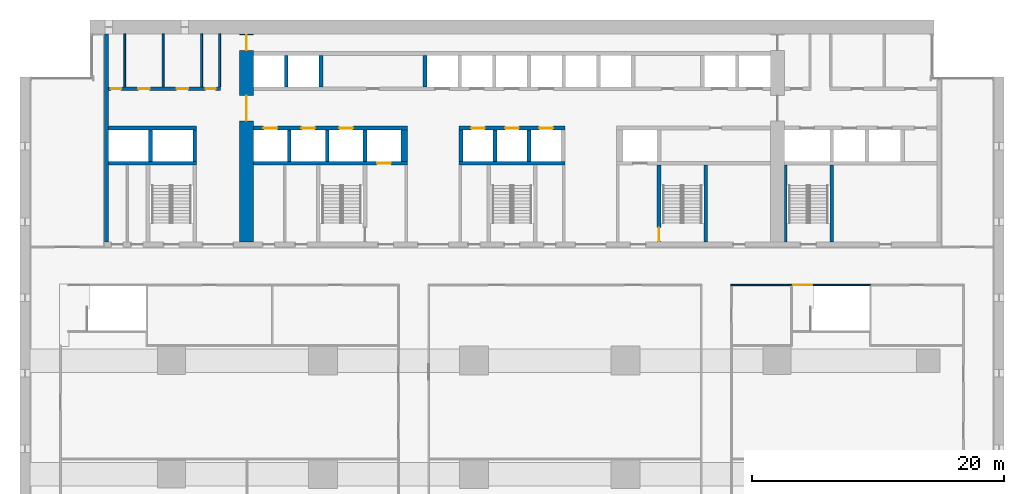
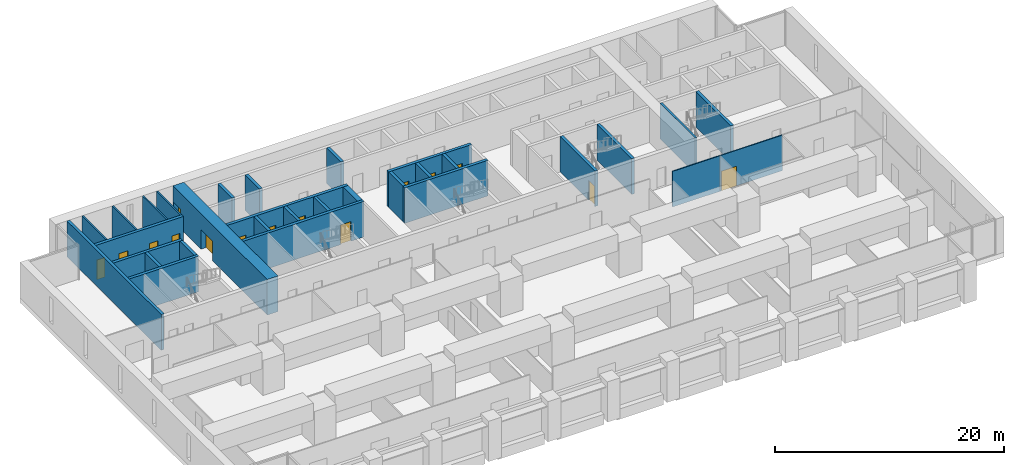
# One storey, part 9 of 17: 31 walls, 15 doors, 15 openings.
"""IFC4 building model written with IfcOpenShell, lengths in metres."""

from ifc_helpers import new_model, si_unit, direction, frame, frame_2d, origin, place, context, subcontext, project, spatial, rectangle, extrude, material, layer, layer_set, type_object, element, fill, save


model = new_model("IFC4")

# Units and contexts
model_context = context("Model", 3, precision=1e-05, world=origin(), true_north=direction((0.0, 1.0)))
body_context = subcontext(model_context, "Body", "Model", "MODEL_VIEW")
ifc_project = project(units=[si_unit("LENGTHUNIT", "METRE"), si_unit("AREAUNIT", "SQUARE_METRE"), si_unit("VOLUMEUNIT", "CUBIC_METRE"), si_unit("PLANEANGLEUNIT", "RADIAN"), si_unit("MASSUNIT", "GRAM", prefix="KILO")], contexts=[model_context])

# Site, building, storey
site_placement = place(None, origin())
site = spatial("IfcSite", under=ifc_project, at=site_placement, CompositionType="ELEMENT")
building_placement = place(site_placement, origin())
building = spatial("IfcBuilding", under=site, at=building_placement, Name="Calvaro Tower", CompositionType="ELEMENT")
storey_placement = place(building_placement, frame((0.0, 0.0, 17.89990234375)))
storey = spatial("IfcBuildingStorey", under=building, at=storey_placement, Name="L03", CompositionType="ELEMENT", Elevation=17.89990234375)

# Walls
ifc_material_1 = material(Name="Blockwork partition", Category="masonry")
ifc_layer_1 = layer(ifc_material_1, 0.14990234375)
ifc_layer_set_1 = layer_set([ifc_layer_1], Name="Blockwork partition")
wall_type_1 = type_object("IfcWallType", Name="Core partition 150 EI 60", PredefinedType="PARTITIONING", material=ifc_layer_set_1)
for number, where, z_axis, x_axis, name in (
    (1, (8.300048828125, 40.699951171875, 0.0), (0.0, 0.0, 1.0), (0.0, 1.0, 0.0), "Core partition"),
    (2, (11.35009765625, 40.699951171875, 0.0), (0.0, 0.0, 1.0), (0.0, 1.0, 0.0), "Core partition"),
    (3, (14.39990234375, 40.699951171875, 0.0), (0.0, 0.0, 1.0), (0.0, 1.0, 0.0), "Core partition"),
):
    element("IfcWall", number, at=place(storey_placement, frame(where, z_axis=z_axis, x_axis=x_axis)), inside=storey, type_object=wall_type_1, Name=name, PredefinedType="PARTITIONING", context=body_context, shape_type="SweptSolid", body=[
        extrude(rectangle(XDim=4.199951171875, YDim=0.14990234375, at=frame_2d((2.10009765625, 0.0))), origin(), (0.0, 0.0, 1.0), 3.800048828125),
    ])
ifc_material_2 = material(Name="Blockwork partition", Category="masonry")
ifc_layer_2 = layer(ifc_material_2, 0.14990234375)
ifc_layer_set_2 = layer_set([ifc_layer_2], Name="Blockwork partition")
wall_type_2 = type_object("IfcWallType", Name="Core partition 150 REI 120", PredefinedType="PARTITIONING", material=ifc_layer_set_2)
wall_1_placement = place(storey_placement, frame((15.824951171875, 40.699951171875, 0.0), z_axis=(0.0, 0.0, 1.0), x_axis=(0.0, 1.0, 0.0)))
element("IfcWall", 4, at=wall_1_placement, inside=storey, type_object=wall_type_2, Name="Core partition", PredefinedType="PARTITIONING", context=body_context, shape_type="SweptSolid", body=[
    extrude(rectangle(XDim=4.199951171875, YDim=0.14990234375, at=frame_2d((2.10009765625, 0.0))), origin(), (0.0, 0.0, 1.0), 3.800048828125),
])

# Wall, openings, doors
ifc_material_3 = material(Name="Blockwork partition", Category="masonry")
ifc_layer_3 = layer(ifc_material_3, 0.300048828125)
ifc_layer_set_3 = layer_set([ifc_layer_3], Name="Blockwork partition")
wall_type_3 = type_object("IfcWallType", Name="Core partition 300 REI 120", PredefinedType="PARTITIONING", material=ifc_layer_set_3)
wall_2_placement = place(storey_placement, frame((7.0, 40.550048828125, 0.0), z_axis=(0.0, 0.0, 1.0), x_axis=(1.0, 0.0, 0.0)))
wall_2 = element("IfcWall", 5, at=wall_2_placement, inside=storey, type_object=wall_type_3, Name="Core partition", PredefinedType="PARTITIONING", context=body_context, shape_type="SweptSolid", body=[
    extrude(rectangle(XDim=8.89990234375, YDim=0.300048828125, at=frame_2d((4.449951171875, 0.0))), origin(), (0.0, 0.0, 1.0), 3.800048828125),
])
opening_1_placement = place(wall_2_placement, frame((0.21240234375, 0.0, 0.0)))
opening_1 = element("IfcOpeningElement", 6, at=opening_1_placement, cuts=wall_2, Name="Opening RD8", PredefinedType="OPENING", context=body_context, shape_type="SweptSolid", body=[
    extrude(rectangle(XDim=0.800048828125, YDim=2.10009765625, at=frame_2d((0.39990234375, 1.050048828125))), frame((0.0, 0.159912109375, 0.0), z_axis=(0.0, -1.0, 0.0), x_axis=(1.0, 0.0, 0.0)), (0.0, 0.0, 1.0), 0.320068359375),
])
opening_2_placement = place(wall_2_placement, frame((2.375, 0.0, 0.0)))
opening_2 = element("IfcOpeningElement", 7, at=opening_2_placement, cuts=wall_2, Name="Opening RD9", PredefinedType="OPENING", context=body_context, shape_type="SweptSolid", body=[
    extrude(rectangle(XDim=0.89990234375, YDim=2.10009765625, at=frame_2d((0.449951171875, 1.050048828125))), frame((0.0, 0.159912109375, 0.0), z_axis=(0.0, -1.0, 0.0), x_axis=(1.0, 0.0, 0.0)), (0.0, 0.0, 1.0), 0.320068359375),
])
opening_3_placement = place(wall_2_placement, frame((5.425048828125, 0.0, 0.0)))
opening_3 = element("IfcOpeningElement", 8, at=opening_3_placement, cuts=wall_2, Name="Opening RD9", PredefinedType="OPENING", context=body_context, shape_type="SweptSolid", body=[
    extrude(rectangle(XDim=0.89990234375, YDim=2.10009765625, at=frame_2d((0.449951171875, 1.050048828125))), frame((0.0, 0.159912109375, 0.0), z_axis=(0.0, -1.0, 0.0), x_axis=(1.0, 0.0, 0.0)), (0.0, 0.0, 1.0), 0.320068359375),
])
opening_4_placement = place(wall_2_placement, frame((7.71240234375, 0.0, 0.0)))
opening_4 = element("IfcOpeningElement", 9, at=opening_4_placement, cuts=wall_2, Name="Opening RD8C", PredefinedType="OPENING", context=body_context, shape_type="SweptSolid", body=[
    extrude(rectangle(XDim=0.800048828125, YDim=2.10009765625, at=frame_2d((0.39990234375, 1.050048828125))), frame((0.0, 0.159912109375, 0.0), z_axis=(0.0, -1.0, 0.0), x_axis=(1.0, 0.0, 0.0)), (0.0, 0.0, 1.0), 0.320068359375),
])
ifc_material_4 = material(Name="Steel door set", Category="steel")
door_type_1 = type_object("IfcDoorType", Name="Room door 800", OperationType="SINGLE_SWING_LEFT", PredefinedType="DOOR", material=ifc_material_4)
door_1_placement = place(opening_1_placement, origin())
door_1 = element("IfcDoor", 10, at=door_1_placement, inside=storey, type_object=door_type_1, Name="Room door", OperationType="SINGLE_SWING_LEFT", OverallHeight=2.10009765625, OverallWidth=0.800048828125, PredefinedType="DOOR", context=body_context, shape_type="SweptSolid", body=[
    extrude(rectangle(XDim=0.800048828125, YDim=2.10009765625, at=frame_2d((0.39990234375, 1.050048828125))), frame((0.0, 0.02490234375, 0.0), z_axis=(0.0, -1.0, 0.0), x_axis=(1.0, 0.0, 0.0)), (0.0, 0.0, 1.0), 0.050048828125),
])
fill(opening_1, door_1)
ifc_material_5 = material(Name="Steel door set", Category="steel")
door_type_2 = type_object("IfcDoorType", Name="Room door 800 FD30", OperationType="SINGLE_SWING_LEFT", PredefinedType="DOOR", material=ifc_material_5)
door_2_placement = place(opening_4_placement, origin())
door_2 = element("IfcDoor", 11, at=door_2_placement, inside=storey, type_object=door_type_2, Name="Room door", OperationType="SINGLE_SWING_RIGHT", OverallHeight=2.10009765625, OverallWidth=0.800048828125, PredefinedType="DOOR", context=body_context, shape_type="SweptSolid", body=[
    extrude(rectangle(XDim=0.800048828125, YDim=2.10009765625, at=frame_2d((0.39990234375, 1.050048828125))), frame((0.0, 0.02490234375, 0.0), z_axis=(0.0, -1.0, 0.0), x_axis=(1.0, 0.0, 0.0)), (0.0, 0.0, 1.0), 0.050048828125),
])
fill(opening_4, door_2)
ifc_material_6 = material(Name="Steel door set", Category="steel")
door_type_3 = type_object("IfcDoorType", Name="Room door 900", OperationType="SINGLE_SWING_LEFT", PredefinedType="DOOR", material=ifc_material_6)
door_3_placement = place(opening_2_placement, origin())
door_3 = element("IfcDoor", 12, at=door_3_placement, inside=storey, type_object=door_type_3, Name="Room door", OperationType="SINGLE_SWING_LEFT", OverallHeight=2.10009765625, OverallWidth=0.89990234375, PredefinedType="DOOR", context=body_context, shape_type="SweptSolid", body=[
    extrude(rectangle(XDim=0.89990234375, YDim=2.10009765625, at=frame_2d((0.449951171875, 1.050048828125))), frame((0.0, 0.02490234375, 0.0), z_axis=(0.0, -1.0, 0.0), x_axis=(1.0, 0.0, 0.0)), (0.0, 0.0, 1.0), 0.050048828125),
])
fill(opening_2, door_3)
door_4_placement = place(opening_3_placement, origin())
door_4 = element("IfcDoor", 13, at=door_4_placement, inside=storey, type_object=door_type_3, Name="Room door", OperationType="SINGLE_SWING_LEFT", OverallHeight=2.10009765625, OverallWidth=0.89990234375, PredefinedType="DOOR", context=body_context, shape_type="SweptSolid", body=[
    extrude(rectangle(XDim=0.89990234375, YDim=2.10009765625, at=frame_2d((0.449951171875, 1.050048828125))), frame((0.0, 0.02490234375, 0.0), z_axis=(0.0, -1.0, 0.0), x_axis=(1.0, 0.0, 0.0)), (0.0, 0.0, 1.0), 0.050048828125),
])
fill(opening_3, door_4)

ifc_material_7 = material(Name="Concrete C80/95", Category="concrete")
ifc_layer_4 = layer(ifc_material_7, 1.10009765625)
ifc_layer_set_4 = layer_set([ifc_layer_4], Name="Concrete C80/95")
wall_type_4 = type_object("IfcWallType", Name="Core wall C80/95 1100", PredefinedType="SHEAR", material=ifc_layer_set_4)
wall_3_placement = place(storey_placement, frame((17.949951171875, 28.39990234375, 0.0), z_axis=(0.0, 0.0, 1.0), x_axis=(0.0, 1.0, 0.0)))
wall_3 = element("IfcWall", 14, at=wall_3_placement, inside=storey, type_object=wall_type_4, Name="Core wall, cross shear wall", PredefinedType="SHEAR", context=body_context, shape_type="SweptSolid", body=[
    extrude(rectangle(XDim=16.5, YDim=1.10009765625, at=frame_2d((8.25, 0.0))), origin(), (0.0, 0.0, 1.0), 3.800048828125),
])
opening_5_placement = place(wall_3_placement, frame((9.60009765625, 0.0, 0.0)))
opening_5 = element("IfcOpeningElement", 15, at=opening_5_placement, cuts=wall_3, Name="Opening DD20D", PredefinedType="OPENING", context=body_context, shape_type="SweptSolid", body=[
    extrude(rectangle(XDim=2.0, YDim=2.10009765625, at=frame_2d((1.0, 1.050048828125))), frame((0.0, 0.56005859375, 0.0), z_axis=(0.0, -1.0, 0.0), x_axis=(1.0, 0.0, 0.0)), (0.0, 0.0, 1.0), 1.1201171875),
])
opening_6_placement = place(wall_3_placement, frame((15.199951171875, 0.0, 0.0)))
opening_6 = element("IfcOpeningElement", 16, at=opening_6_placement, cuts=wall_3, Name="Opening FD12C", PredefinedType="OPENING", context=body_context, shape_type="SweptSolid", body=[
    extrude(rectangle(XDim=1.199951171875, YDim=2.10009765625, at=frame_2d((0.60009765625, 1.050048828125))), frame((0.0, 0.56005859375, 0.0), z_axis=(0.0, -1.0, 0.0), x_axis=(1.0, 0.0, 0.0)), (0.0, 0.0, 1.0), 1.1201171875),
])
ifc_material_8 = material(Name="Steel door set", Category="steel")
door_type_4 = type_object("IfcDoorType", Name="Fire door 1200 FD30", OperationType="SINGLE_SWING_LEFT", PredefinedType="DOOR", material=ifc_material_8)
door_5_placement = place(opening_6_placement, origin())
door_5 = element("IfcDoor", 17, at=door_5_placement, inside=storey, type_object=door_type_4, Name="Fire door", OperationType="SINGLE_SWING_RIGHT", OverallHeight=2.10009765625, OverallWidth=1.199951171875, PredefinedType="DOOR", context=body_context, shape_type="SweptSolid", body=[
    extrude(rectangle(XDim=1.199951171875, YDim=2.10009765625, at=frame_2d((0.60009765625, 1.050048828125))), frame((0.0, 0.02490234375, 0.0), z_axis=(0.0, -1.0, 0.0), x_axis=(1.0, 0.0, 0.0)), (0.0, 0.0, 1.0), 0.050048828125),
])
fill(opening_6, door_5)
ifc_material_9 = material(Name="Steel door set", Category="steel")
door_type_5 = type_object("IfcDoorType", Name="Lobby double door 2000 FD30S", OperationType="DOUBLE_DOOR_SINGLE_SWING", PredefinedType="DOOR", material=ifc_material_9)
door_6_placement = place(opening_5_placement, origin())
door_6 = element("IfcDoor", 18, at=door_6_placement, inside=storey, type_object=door_type_5, Name="Lobby double door", OperationType="DOUBLE_DOOR_SINGLE_SWING", OverallHeight=2.10009765625, OverallWidth=2.0, PredefinedType="DOOR", context=body_context, shape_type="SweptSolid", body=[
    extrude(rectangle(XDim=2.0, YDim=2.10009765625, at=frame_2d((1.0, 1.050048828125))), frame((0.0, 0.02490234375, 0.0), z_axis=(0.0, -1.0, 0.0), x_axis=(1.0, 0.0, 0.0)), (0.0, 0.0, 1.0), 0.050048828125),
])
fill(opening_5, door_6)

# Walls
ifc_material_10 = material(Name="Concrete C80/95", Category="concrete")
ifc_layer_5 = layer(ifc_material_10, 0.199951171875)
ifc_layer_set_5 = layer_set([ifc_layer_5], Name="Concrete C80/95")
wall_type_5 = type_object("IfcWallType", Name="Core wall C80/95 200", PredefinedType="SHEAR", material=ifc_layer_set_5)
wall_4_placement = place(storey_placement, frame((60.699951171875, 28.39990234375, 0.0), z_axis=(0.0, 0.0, 1.0), x_axis=(0.0, 1.0, 0.0)))
element("IfcWall", 19, at=wall_4_placement, inside=storey, type_object=wall_type_5, Name="Core wall, stair enclosure", PredefinedType="SHEAR", context=body_context, shape_type="SweptSolid", body=[
    extrude(rectangle(XDim=6.10009765625, YDim=0.199951171875, at=frame_2d((3.050048828125, 0.0))), origin(), (0.0, 0.0, 1.0), 3.800048828125),
])
ifc_material_11 = material(Name="Concrete C80/95", Category="concrete")
ifc_layer_6 = layer(ifc_material_11, 0.300048828125)
ifc_layer_set_6 = layer_set([ifc_layer_6], Name="Concrete C80/95")
wall_type_6 = type_object("IfcWallType", Name="Core wall C80/95 300", PredefinedType="SHEAR", material=ifc_layer_set_6)
wall_5_placement = place(storey_placement, frame((6.85009765625, 28.39990234375, 0.0), z_axis=(0.0, 0.0, 1.0), x_axis=(0.0, 1.0, 0.0)))
element("IfcWall", 20, at=wall_5_placement, inside=storey, type_object=wall_type_6, Name="Core wall, boundary", PredefinedType="SHEAR", context=body_context, shape_type="SweptSolid", body=[
    extrude(rectangle(XDim=16.5, YDim=0.300048828125, at=frame_2d((8.25, 0.0))), origin(), (0.0, 0.0, 1.0), 3.800048828125),
])

# Wall, opening, door
wall_6_placement = place(storey_placement, frame((50.64990234375, 34.5, 0.0), z_axis=(0.0, 0.0, 1.0), x_axis=(0.0, -1.0, 0.0)))
wall_6 = element("IfcWall", 21, at=wall_6_placement, inside=storey, type_object=wall_type_6, Name="Core wall, stair enclosure", PredefinedType="SHEAR", context=body_context, shape_type="SweptSolid", body=[
    extrude(rectangle(XDim=6.10009765625, YDim=0.300048828125, at=frame_2d((3.050048828125, 0.0))), origin(), (0.0, 0.0, 1.0), 3.800048828125),
])
opening_7_placement = place(wall_6_placement, frame((4.949951171875, 0.0, 0.0)))
opening_7 = element("IfcOpeningElement", 22, at=opening_7_placement, cuts=wall_6, Name="Opening FD11D", PredefinedType="OPENING", context=body_context, shape_type="SweptSolid", body=[
    extrude(rectangle(XDim=1.10009765625, YDim=2.10009765625, at=frame_2d((0.550048828125, 1.050048828125))), frame((0.0, 0.159912109375, 0.0), z_axis=(0.0, -1.0, 0.0), x_axis=(1.0, 0.0, 0.0)), (0.0, 0.0, 1.0), 0.320068359375),
])
ifc_material_12 = material(Name="Steel door set", Category="steel")
door_type_6 = type_object("IfcDoorType", Name="Fire door 1100 FD30S", OperationType="SINGLE_SWING_LEFT", PredefinedType="DOOR", material=ifc_material_12)
door_7_placement = place(opening_7_placement, origin())
door_7 = element("IfcDoor", 23, at=door_7_placement, inside=storey, type_object=door_type_6, Name="Fire door", OperationType="SINGLE_SWING_RIGHT", OverallHeight=2.10009765625, OverallWidth=1.10009765625, PredefinedType="DOOR", context=body_context, shape_type="SweptSolid", body=[
    extrude(rectangle(XDim=1.10009765625, YDim=2.10009765625, at=frame_2d((0.550048828125, 1.050048828125))), frame((0.0, 0.02490234375, 0.0), z_axis=(0.0, -1.0, 0.0), x_axis=(1.0, 0.0, 0.0)), (0.0, 0.0, 1.0), 0.050048828125),
])
fill(opening_7, door_7)

# Walls
for number, where, z_axis, x_axis, name in (
    (24, (54.35009765625, 28.39990234375, 0.0), (0.0, 0.0, 1.0), (0.0, 1.0, 0.0), "Core wall, stair enclosure"),
    (25, (64.35009765625, 28.39990234375, 0.0), (0.0, 0.0, 1.0), (0.0, 1.0, 0.0), "Core wall, stair enclosure"),
):
    element("IfcWall", number, at=place(storey_placement, frame(where, z_axis=z_axis, x_axis=x_axis)), inside=storey, type_object=wall_type_6, Name=name, PredefinedType="SHEAR", context=body_context, shape_type="SweptSolid", body=[
        extrude(rectangle(XDim=6.10009765625, YDim=0.300048828125, at=frame_2d((3.050048828125, 0.0))), origin(), (0.0, 0.0, 1.0), 3.800048828125),
    ])
wall_7_placement = place(storey_placement, frame((7.0, 34.64990234375, 0.0), z_axis=(0.0, 0.0, 1.0), x_axis=(1.0, 0.0, 0.0)))
element("IfcWall", 26, at=wall_7_placement, inside=storey, type_object=wall_type_6, Name="Core wall, lift shaft", PredefinedType="SHEAR", context=body_context, shape_type="SweptSolid", body=[
    extrude(rectangle(XDim=7.0, YDim=0.300048828125, at=frame_2d((3.5, 0.0))), origin(), (0.0, 0.0, 1.0), 3.800048828125),
])

# Wall, opening, door
wall_8_placement = place(storey_placement, frame((18.5, 34.64990234375, 0.0), z_axis=(0.0, 0.0, 1.0), x_axis=(1.0, 0.0, 0.0)))
wall_8 = element("IfcWall", 27, at=wall_8_placement, inside=storey, type_object=wall_type_6, Name="Core wall, lift shaft", PredefinedType="SHEAR", context=body_context, shape_type="SweptSolid", body=[
    extrude(rectangle(XDim=12.199951171875, YDim=0.300048828125, at=frame_2d((6.10009765625, 0.0))), origin(), (0.0, 0.0, 1.0), 3.800048828125),
])
opening_8_placement = place(wall_8_placement, frame((9.800048828125, 0.0, 0.0)))
opening_8 = element("IfcOpeningElement", 28, at=opening_8_placement, cuts=wall_8, Name="Opening FF1", PredefinedType="OPENING", context=body_context, shape_type="SweptSolid", body=[
    extrude(rectangle(XDim=1.10009765625, YDim=2.10009765625, at=frame_2d((0.550048828125, 1.050048828125))), frame((0.0, 0.159912109375, 0.0), z_axis=(0.0, -1.0, 0.0), x_axis=(1.0, 0.0, 0.0)), (0.0, 0.0, 1.0), 0.320068359375),
])
ifc_material_13 = material(Name="Stainless steel", Category="steel")
door_type_7 = type_object("IfcDoorType", Name="Landing door 1100 E 60", OperationType="SLIDING_TO_LEFT", PredefinedType="DOOR", material=ifc_material_13)
door_8_placement = place(opening_8_placement, origin())
door_8 = element("IfcDoor", 29, at=door_8_placement, inside=storey, type_object=door_type_7, Name="Landing door FF1", OperationType="SLIDING_TO_LEFT", OverallHeight=2.10009765625, OverallWidth=1.10009765625, PredefinedType="DOOR", context=body_context, shape_type="SweptSolid", body=[
    extrude(rectangle(XDim=1.10009765625, YDim=2.10009765625, at=frame_2d((0.550048828125, 1.050048828125))), frame((0.0, 0.02490234375, 0.0), z_axis=(0.0, -1.0, 0.0), x_axis=(1.0, 0.0, 0.0)), (0.0, 0.0, 1.0), 0.050048828125),
])
fill(opening_8, door_8)

# Walls
wall_9_placement = place(storey_placement, frame((34.800048828125, 34.64990234375, 0.0), z_axis=(0.0, 0.0, 1.0), x_axis=(1.0, 0.0, 0.0)))
element("IfcWall", 30, at=wall_9_placement, inside=storey, type_object=wall_type_6, Name="Core wall, lift shaft", PredefinedType="SHEAR", context=body_context, shape_type="SweptSolid", body=[
    extrude(rectangle(XDim=8.39990234375, YDim=0.300048828125, at=frame_2d((4.199951171875, 0.0))), origin(), (0.0, 0.0, 1.0), 3.800048828125),
])
wall_10_placement = place(storey_placement, frame((7.0, 37.449951171875, 0.0), z_axis=(0.0, 0.0, 1.0), x_axis=(1.0, 0.0, 0.0)))
element("IfcWall", 31, at=wall_10_placement, inside=storey, type_object=wall_type_6, Name="Core wall, lift shaft", PredefinedType="SHEAR", context=body_context, shape_type="SweptSolid", body=[
    extrude(rectangle(XDim=7.0, YDim=0.300048828125, at=frame_2d((3.5, 0.0))), origin(), (0.0, 0.0, 1.0), 3.800048828125),
])

# Wall, openings, doors
wall_11_placement = place(storey_placement, frame((18.5, 37.449951171875, 0.0), z_axis=(0.0, 0.0, 1.0), x_axis=(1.0, 0.0, 0.0)))
wall_11 = element("IfcWall", 32, at=wall_11_placement, inside=storey, type_object=wall_type_6, Name="Core wall, lift shaft", PredefinedType="SHEAR", context=body_context, shape_type="SweptSolid", body=[
    extrude(rectangle(XDim=12.199951171875, YDim=0.300048828125, at=frame_2d((6.10009765625, 0.0))), origin(), (0.0, 0.0, 1.0), 3.800048828125),
])
opening_9_placement = place(wall_11_placement, frame((0.800048828125, 0.0, 0.0)))
opening_9 = element("IfcOpeningElement", 33, at=opening_9_placement, cuts=wall_11, Name="Opening LR1", PredefinedType="OPENING", context=body_context, shape_type="SweptSolid", body=[
    extrude(rectangle(XDim=1.10009765625, YDim=2.10009765625, at=frame_2d((0.550048828125, 1.050048828125))), frame((0.0, 0.159912109375, 0.0), z_axis=(0.0, -1.0, 0.0), x_axis=(1.0, 0.0, 0.0)), (0.0, 0.0, 1.0), 0.320068359375),
])
opening_10_placement = place(wall_11_placement, frame((3.800048828125, 0.0, 0.0)))
opening_10 = element("IfcOpeningElement", 34, at=opening_10_placement, cuts=wall_11, Name="Opening LR2", PredefinedType="OPENING", context=body_context, shape_type="SweptSolid", body=[
    extrude(rectangle(XDim=1.10009765625, YDim=2.10009765625, at=frame_2d((0.550048828125, 1.050048828125))), frame((0.0, 0.159912109375, 0.0), z_axis=(0.0, -1.0, 0.0), x_axis=(1.0, 0.0, 0.0)), (0.0, 0.0, 1.0), 0.320068359375),
])
opening_11_placement = place(wall_11_placement, frame((6.800048828125, 0.0, 0.0)))
opening_11 = element("IfcOpeningElement", 35, at=opening_11_placement, cuts=wall_11, Name="Opening LR3", PredefinedType="OPENING", context=body_context, shape_type="SweptSolid", body=[
    extrude(rectangle(XDim=1.10009765625, YDim=2.10009765625, at=frame_2d((0.550048828125, 1.050048828125))), frame((0.0, 0.159912109375, 0.0), z_axis=(0.0, -1.0, 0.0), x_axis=(1.0, 0.0, 0.0)), (0.0, 0.0, 1.0), 0.320068359375),
])
door_9_placement = place(opening_9_placement, origin())
door_9 = element("IfcDoor", 36, at=door_9_placement, inside=storey, type_object=door_type_7, Name="Landing door LR1", OperationType="SLIDING_TO_LEFT", OverallHeight=2.10009765625, OverallWidth=1.10009765625, PredefinedType="DOOR", context=body_context, shape_type="SweptSolid", body=[
    extrude(rectangle(XDim=1.10009765625, YDim=2.10009765625, at=frame_2d((0.550048828125, 1.050048828125))), frame((0.0, 0.02490234375, 0.0), z_axis=(0.0, -1.0, 0.0), x_axis=(1.0, 0.0, 0.0)), (0.0, 0.0, 1.0), 0.050048828125),
])
fill(opening_9, door_9)
door_10_placement = place(opening_10_placement, origin())
door_10 = element("IfcDoor", 37, at=door_10_placement, inside=storey, type_object=door_type_7, Name="Landing door LR2", OperationType="SLIDING_TO_LEFT", OverallHeight=2.10009765625, OverallWidth=1.10009765625, PredefinedType="DOOR", context=body_context, shape_type="SweptSolid", body=[
    extrude(rectangle(XDim=1.10009765625, YDim=2.10009765625, at=frame_2d((0.550048828125, 1.050048828125))), frame((0.0, 0.02490234375, 0.0), z_axis=(0.0, -1.0, 0.0), x_axis=(1.0, 0.0, 0.0)), (0.0, 0.0, 1.0), 0.050048828125),
])
fill(opening_10, door_10)
door_11_placement = place(opening_11_placement, origin())
door_11 = element("IfcDoor", 38, at=door_11_placement, inside=storey, type_object=door_type_7, Name="Landing door LR3", OperationType="SLIDING_TO_LEFT", OverallHeight=2.10009765625, OverallWidth=1.10009765625, PredefinedType="DOOR", context=body_context, shape_type="SweptSolid", body=[
    extrude(rectangle(XDim=1.10009765625, YDim=2.10009765625, at=frame_2d((0.550048828125, 1.050048828125))), frame((0.0, 0.02490234375, 0.0), z_axis=(0.0, -1.0, 0.0), x_axis=(1.0, 0.0, 0.0)), (0.0, 0.0, 1.0), 0.050048828125),
])
fill(opening_11, door_11)

wall_12_placement = place(storey_placement, frame((34.800048828125, 37.449951171875, 0.0), z_axis=(0.0, 0.0, 1.0), x_axis=(1.0, 0.0, 0.0)))
wall_12 = element("IfcWall", 39, at=wall_12_placement, inside=storey, type_object=wall_type_6, Name="Core wall, lift shaft", PredefinedType="SHEAR", context=body_context, shape_type="SweptSolid", body=[
    extrude(rectangle(XDim=8.39990234375, YDim=0.300048828125, at=frame_2d((4.199951171875, 0.0))), origin(), (0.0, 0.0, 1.0), 3.800048828125),
])
opening_12_placement = place(wall_12_placement, frame((0.949951171875, 0.0, 0.0)))
opening_12 = element("IfcOpeningElement", 40, at=opening_12_placement, cuts=wall_12, Name="Opening LR4", PredefinedType="OPENING", context=body_context, shape_type="SweptSolid", body=[
    extrude(rectangle(XDim=1.10009765625, YDim=2.10009765625, at=frame_2d((0.550048828125, 1.050048828125))), frame((0.0, 0.159912109375, 0.0), z_axis=(0.0, -1.0, 0.0), x_axis=(1.0, 0.0, 0.0)), (0.0, 0.0, 1.0), 0.320068359375),
])
opening_13_placement = place(wall_12_placement, frame((3.64990234375, 0.0, 0.0)))
opening_13 = element("IfcOpeningElement", 41, at=opening_13_placement, cuts=wall_12, Name="Opening LR5", PredefinedType="OPENING", context=body_context, shape_type="SweptSolid", body=[
    extrude(rectangle(XDim=1.10009765625, YDim=2.10009765625, at=frame_2d((0.550048828125, 1.050048828125))), frame((0.0, 0.159912109375, 0.0), z_axis=(0.0, -1.0, 0.0), x_axis=(1.0, 0.0, 0.0)), (0.0, 0.0, 1.0), 0.320068359375),
])
opening_14_placement = place(wall_12_placement, frame((6.35009765625, 0.0, 0.0)))
opening_14 = element("IfcOpeningElement", 42, at=opening_14_placement, cuts=wall_12, Name="Opening LR6", PredefinedType="OPENING", context=body_context, shape_type="SweptSolid", body=[
    extrude(rectangle(XDim=1.10009765625, YDim=2.10009765625, at=frame_2d((0.550048828125, 1.050048828125))), frame((0.0, 0.159912109375, 0.0), z_axis=(0.0, -1.0, 0.0), x_axis=(1.0, 0.0, 0.0)), (0.0, 0.0, 1.0), 0.320068359375),
])
door_12_placement = place(opening_12_placement, origin())
door_12 = element("IfcDoor", 43, at=door_12_placement, inside=storey, type_object=door_type_7, Name="Landing door LR4", OperationType="SLIDING_TO_LEFT", OverallHeight=2.10009765625, OverallWidth=1.10009765625, PredefinedType="DOOR", context=body_context, shape_type="SweptSolid", body=[
    extrude(rectangle(XDim=1.10009765625, YDim=2.10009765625, at=frame_2d((0.550048828125, 1.050048828125))), frame((0.0, 0.02490234375, 0.0), z_axis=(0.0, -1.0, 0.0), x_axis=(1.0, 0.0, 0.0)), (0.0, 0.0, 1.0), 0.050048828125),
])
fill(opening_12, door_12)
door_13_placement = place(opening_13_placement, origin())
door_13 = element("IfcDoor", 44, at=door_13_placement, inside=storey, type_object=door_type_7, Name="Landing door LR5", OperationType="SLIDING_TO_LEFT", OverallHeight=2.10009765625, OverallWidth=1.10009765625, PredefinedType="DOOR", context=body_context, shape_type="SweptSolid", body=[
    extrude(rectangle(XDim=1.10009765625, YDim=2.10009765625, at=frame_2d((0.550048828125, 1.050048828125))), frame((0.0, 0.02490234375, 0.0), z_axis=(0.0, -1.0, 0.0), x_axis=(1.0, 0.0, 0.0)), (0.0, 0.0, 1.0), 0.050048828125),
])
fill(opening_13, door_13)
door_14_placement = place(opening_14_placement, origin())
door_14 = element("IfcDoor", 45, at=door_14_placement, inside=storey, type_object=door_type_7, Name="Landing door LR6", OperationType="SLIDING_TO_LEFT", OverallHeight=2.10009765625, OverallWidth=1.10009765625, PredefinedType="DOOR", context=body_context, shape_type="SweptSolid", body=[
    extrude(rectangle(XDim=1.10009765625, YDim=2.10009765625, at=frame_2d((0.550048828125, 1.050048828125))), frame((0.0, 0.02490234375, 0.0), z_axis=(0.0, -1.0, 0.0), x_axis=(1.0, 0.0, 0.0)), (0.0, 0.0, 1.0), 0.050048828125),
])
fill(opening_14, door_14)

# Walls
for number, where, z_axis, x_axis, name in (
    (46, (27.35009765625, 34.800048828125, 0.0), (0.0, 0.0, 1.0), (0.0, 1.0, 0.0), "Core wall, lift shaft"),
    (47, (34.949951171875, 34.800048828125, 0.0), (0.0, 0.0, 1.0), (0.0, 1.0, 0.0), "Core wall, lift shaft"),
    (48, (13.85009765625, 34.800048828125, 0.0), (0.0, 0.0, 1.0), (0.0, 1.0, 0.0), "Core wall, lift shaft"),
    (49, (21.35009765625, 34.800048828125, 0.0), (0.0, 0.0, 1.0), (0.0, 1.0, 0.0), "Core wall, lift shaft"),
    (50, (24.35009765625, 34.800048828125, 0.0), (0.0, 0.0, 1.0), (0.0, 1.0, 0.0), "Core wall, lift shaft"),
    (51, (37.64990234375, 34.800048828125, 0.0), (0.0, 0.0, 1.0), (0.0, 1.0, 0.0), "Core wall, lift shaft"),
    (52, (40.35009765625, 34.800048828125, 0.0), (0.0, 0.0, 1.0), (0.0, 1.0, 0.0), "Core wall, lift shaft"),
    (53, (21.10009765625, 40.699951171875, 0.0), (0.0, 0.0, 1.0), (0.0, 1.0, 0.0), "Core wall, lift shaft"),
    (54, (23.85009765625, 40.699951171875, 0.0), (0.0, 0.0, 1.0), (0.0, 1.0, 0.0), "Core wall, lift shaft"),
    (55, (32.10009765625, 40.699951171875, 0.0), (0.0, 0.0, 1.0), (0.0, 1.0, 0.0), "Core wall, lift shaft"),
    (56, (10.35009765625, 34.800048828125, 0.0), (0.0, 0.0, 1.0), (0.0, 1.0, 0.0), "Core wall, lift shaft"),
):
    element("IfcWall", number, at=place(storey_placement, frame(where, z_axis=z_axis, x_axis=x_axis)), inside=storey, type_object=wall_type_6, Name=name, PredefinedType="SHEAR", context=body_context, shape_type="SweptSolid", body=[
        extrude(rectangle(XDim=2.5, YDim=0.300048828125, at=frame_2d((1.25, 0.0))), origin(), (0.0, 0.0, 1.0), 3.800048828125),
    ])
ifc_material_14 = material(Name="Concrete C80/95", Category="concrete")
ifc_layer_7 = layer(ifc_material_14, 0.5)
ifc_layer_set_7 = layer_set([ifc_layer_7], Name="Concrete C80/95")
wall_type_7 = type_object("IfcWallType", Name="Core wall C80/95 500", PredefinedType="SHEAR", material=ifc_layer_set_7)
wall_13_placement = place(storey_placement, frame((30.449951171875, 34.800048828125, 0.0), z_axis=(0.0, 0.0, 1.0), x_axis=(0.0, 1.0, 0.0)))
element("IfcWall", 57, at=wall_13_placement, inside=storey, type_object=wall_type_7, Name="Core wall, lift shaft", PredefinedType="SHEAR", context=body_context, shape_type="SweptSolid", body=[
    extrude(rectangle(XDim=2.5, YDim=0.5, at=frame_2d((1.25, 0.0))), origin(), (0.0, 0.0, 1.0), 3.800048828125),
])
ifc_material_15 = material(Name="Plasterboard on steel studs", Category="steel")
ifc_layer_8 = layer(ifc_material_15, 0.10009765625)
ifc_layer_set_8 = layer_set([ifc_layer_8], Name="Plasterboard on steel studs")
wall_type_8 = type_object("IfcWallType", Name="Partition 100", PredefinedType="PARTITIONING", material=ifc_layer_set_8)
wall_14_placement = place(storey_placement, frame((56.35009765625, 25.0, 0.0), z_axis=(0.0, 0.0, 1.0), x_axis=(1.0, 0.0, 0.0)))
element("IfcWall", 58, at=wall_14_placement, inside=storey, type_object=wall_type_8, Name="Partition T06.W015", PredefinedType="PARTITIONING", context=body_context, shape_type="SweptSolid", body=[
    extrude(rectangle(XDim=4.760009765625, YDim=0.10009765625, at=frame_2d((2.3798828125, 0.0))), origin(), (0.0, 0.0, 1.0), 3.800048828125),
])

# Wall, opening, door
ifc_material_16 = material(Name="Concrete C40/50", Category="concrete")
ifc_layer_9 = layer(ifc_material_16, 0.10009765625)
ifc_layer_set_9 = layer_set([ifc_layer_9], Name="Concrete C40/50")
wall_type_9 = type_object("IfcWallType", Name="Stair enclosure wall 100", PredefinedType="SOLIDWALL", material=ifc_layer_set_9)
wall_15_placement = place(storey_placement, frame((61.110107421875, 25.0, 0.0), z_axis=(0.0, 0.0, 1.0), x_axis=(1.0, 0.0, 0.0)))
wall_15 = element("IfcWall", 59, at=wall_15_placement, inside=storey, type_object=wall_type_9, Name="Stair enclosure wall T06.W016", PredefinedType="SOLIDWALL", context=body_context, shape_type="SweptSolid", body=[
    extrude(rectangle(XDim=6.329833984375, YDim=0.10009765625, at=frame_2d((3.1650390625, 0.0))), origin(), (0.0, 0.0, 1.0), 3.800048828125),
])
opening_15_placement = place(wall_15_placement, frame((0.18994140625, 0.0, 0.0)))
opening_15 = element("IfcOpeningElement", 60, at=opening_15_placement, cuts=wall_15, Name="Opening T06.022", PredefinedType="OPENING", context=body_context, shape_type="SweptSolid", body=[
    extrude(rectangle(XDim=1.5, YDim=2.10009765625, at=frame_2d((0.75, 1.050048828125))), frame((0.0, 0.06005859375, 0.0), z_axis=(0.0, -1.0, 0.0), x_axis=(1.0, 0.0, 0.0)), (0.0, 0.0, 1.0), 0.1201171875),
])
ifc_material_17 = material(Name="Timber", Category="wood")
door_type_8 = type_object("IfcDoorType", Name="Internal double door 1500 x 2100 FD30S", OperationType="DOUBLE_DOOR_SINGLE_SWING", PredefinedType="DOOR", material=ifc_material_17)
door_15_placement = place(opening_15_placement, origin())
door_15 = element("IfcDoor", 61, at=door_15_placement, inside=storey, type_object=door_type_8, Name="Door T06.022", OperationType="DOUBLE_DOOR_SINGLE_SWING", OverallHeight=2.10009765625, OverallWidth=1.5, PredefinedType="DOOR", context=body_context, shape_type="SweptSolid", body=[
    extrude(rectangle(XDim=1.5, YDim=2.10009765625, at=frame_2d((0.75, 1.050048828125))), frame((0.0, 0.02490234375, 0.0), z_axis=(0.0, -1.0, 0.0), x_axis=(1.0, 0.0, 0.0)), (0.0, 0.0, 1.0), 0.050048828125),
])
fill(opening_15, door_15)

save(model, "model.ifc")
